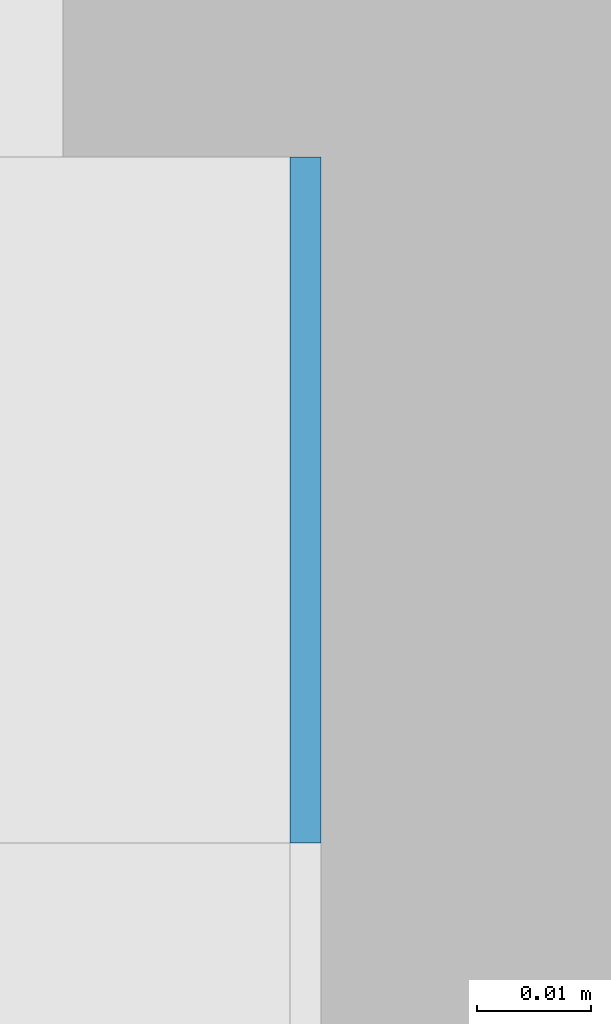
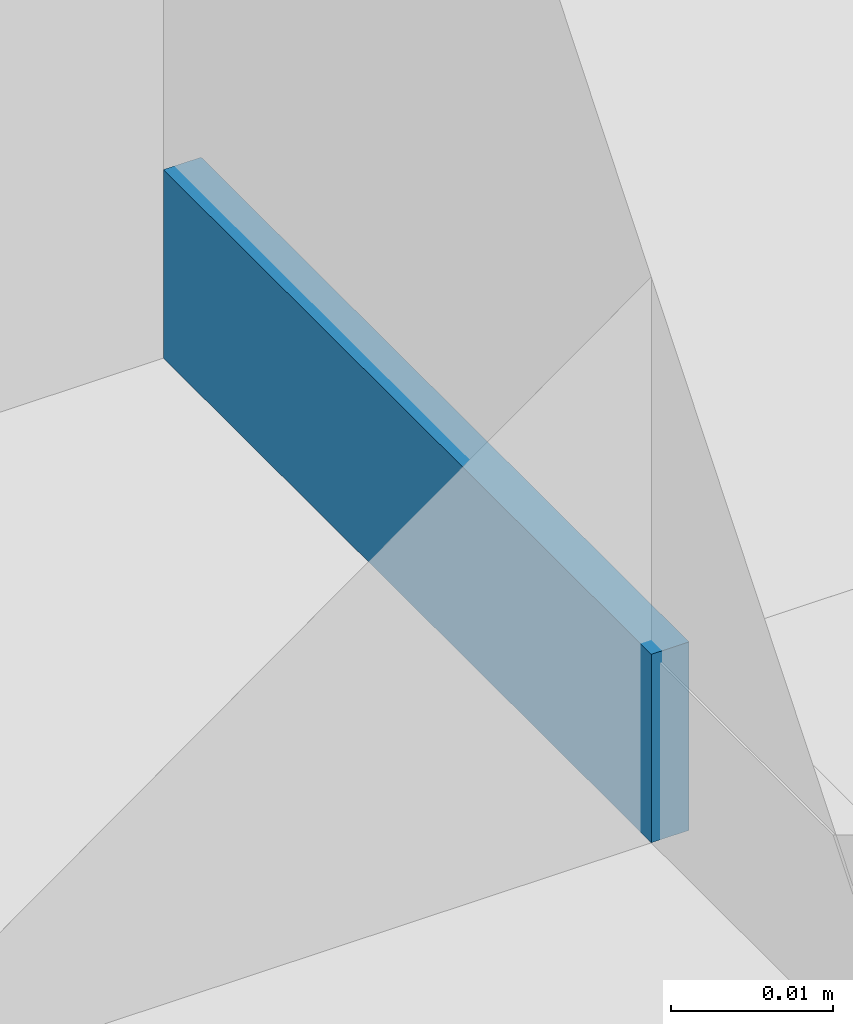
# One storey, part 270 of 646: 1 discrete accessory.
"""IFC4 building model written with IfcOpenShell, lengths in metres."""

from ifc_helpers import new_model, si_unit, direction, frame, origin, origin_2d, place, context, subcontext, project, spatial, rectangle, extrude, material, type_object, element, save


model = new_model("IFC4")

# Units and contexts
model_context = context("Model", 3, precision=1e-05, world=origin(), true_north=direction((0.0, 1.0)))
body_context = subcontext(model_context, "Body", "Model", "MODEL_VIEW")
ifc_project = project(units=[si_unit("LENGTHUNIT", "METRE"), si_unit("AREAUNIT", "SQUARE_METRE"), si_unit("VOLUMEUNIT", "CUBIC_METRE"), si_unit("PLANEANGLEUNIT", "RADIAN"), si_unit("MASSUNIT", "GRAM", prefix="KILO")], contexts=[model_context])

# Site, building, storey
site_placement = place(None, origin())
site = spatial("IfcSite", under=ifc_project, at=site_placement, CompositionType="ELEMENT")
building_placement = place(site_placement, origin())
building = spatial("IfcBuilding", under=site, at=building_placement, Name="Silverbay Arena", CompositionType="ELEMENT")
storey_placement = place(building_placement, frame((0.0, 0.0, 33.5)))
storey = spatial("IfcBuildingStorey", under=building, at=storey_placement, Name="L05", CompositionType="ELEMENT", Elevation=33.5)

# Discrete accessory
ifc_material = material(Name="Steel S355", Category="steel")
discrete_accessory_type = type_object("IfcDiscreteAccessoryType", Name="Steel bracket plate", PredefinedType="BRACKET", material=ifc_material)
discrete_accessory_placement = place(storey_placement, frame((53.871337890625, 45.030029296875, 4.0), z_axis=(0.0, 0.0, 1.0), x_axis=(1.0, 0.0, 0.0)))
element("IfcDiscreteAccessory", 1, at=discrete_accessory_placement, inside=storey, type_object=discrete_accessory_type, Name="Curtain wall packing plate", PredefinedType="BRACKET", context=body_context, shape_type="SweptSolid", body=[
    extrude(rectangle(XDim=0.002685546875, YDim=0.06005859375, at=origin_2d()), origin(), (0.0, 0.0, 1.0), 0.01416015625),
])

save(model, "model.ifc")
